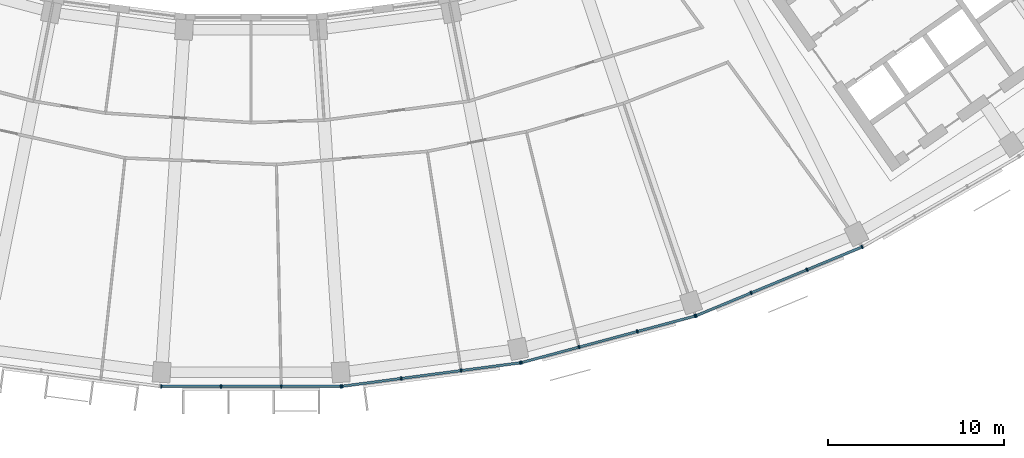
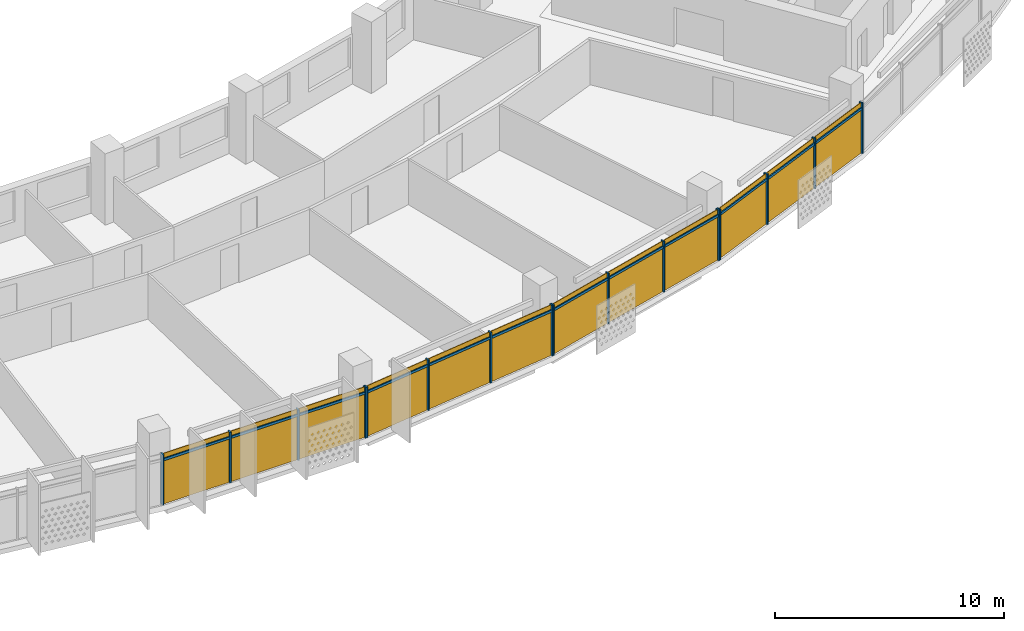
# One storey, part 20 of 27: 28 members, 4 curtain walls.
"""IFC4 building model written with IfcOpenShell, lengths in metres."""

from ifc_helpers import new_model, si_unit, direction, frame, origin, origin_2d, place, context, subcontext, project, spatial, rectangle, extrude, material, material_profile, profile_set, type_object, element, aggregate, save


model = new_model("IFC4")

# Units and contexts
model_context = context("Model", 3, precision=1e-05, world=origin(), true_north=direction((0.0, 1.0)))
body_context = subcontext(model_context, "Body", "Model", "MODEL_VIEW")
ifc_project = project(units=[si_unit("LENGTHUNIT", "METRE"), si_unit("AREAUNIT", "SQUARE_METRE"), si_unit("VOLUMEUNIT", "CUBIC_METRE"), si_unit("PLANEANGLEUNIT", "RADIAN"), si_unit("MASSUNIT", "GRAM", prefix="KILO")], contexts=[model_context])

# Member
ifc_material = material(Name="Aluminium 6063-T6 anodised", Category="aluminium")
ifc_material_profile_1 = material_profile(ifc_material, rectangle(XDim=0.199951171875, YDim=0.070068359375, at=origin_2d()))
ifc_profile_set_1 = profile_set([ifc_material_profile_1], Name="Aluminium 6063-T6 anodised")
member_type_1 = type_object("IfcMemberType", Name="Mullion 70 x 200 aluminium", PredefinedType="MULLION", material=ifc_profile_set_1)
site_placement = place(None, origin())
building_placement = place(site_placement, origin())
storey_placement = place(building_placement, frame((0.0, 0.0, 222.699951171875)))
member_1_placement = place(storey_placement, frame((-5.10888671875, -78.381591796875, 0.0), z_axis=(0.0, 0.0, 1.0), x_axis=(0.0, 1.0, 0.0)))
member_1 = element("IfcMember", 1, at=member_1_placement, type_object=member_type_1, Name="e-cw1-L53-out08/M00", PredefinedType="MULLION", context=body_context, shape_type="SweptSolid", body=[
    extrude(rectangle(XDim=0.199951171875, YDim=0.070068359375, at=origin_2d()), origin(), (0.0, 0.0, 1.0), 2.699951171875),
])

member_2_placement = place(storey_placement, frame((-1.714599609375, -78.381591796875, 0.0), z_axis=(0.0, 0.0, 1.0), x_axis=(0.0, 1.0, 0.0)))
member_2 = element("IfcMember", 2, at=member_2_placement, type_object=member_type_1, Name="e-cw1-L53-out08/M01", PredefinedType="MULLION", context=body_context, shape_type="SweptSolid", body=[
    extrude(rectangle(XDim=0.199951171875, YDim=0.070068359375, at=origin_2d()), origin(), (0.0, 0.0, 1.0), 2.699951171875),
])

member_3_placement = place(storey_placement, frame((1.714599609375, -78.381591796875, 0.0), z_axis=(0.0, 0.0, 1.0), x_axis=(0.0, 1.0, 0.0)))
member_3 = element("IfcMember", 3, at=member_3_placement, type_object=member_type_1, Name="e-cw1-L53-out08/M02", PredefinedType="MULLION", context=body_context, shape_type="SweptSolid", body=[
    extrude(rectangle(XDim=0.199951171875, YDim=0.070068359375, at=origin_2d()), origin(), (0.0, 0.0, 1.0), 2.699951171875),
])

member_4_placement = place(storey_placement, frame((5.10888671875, -78.381591796875, 0.0), z_axis=(0.0, 0.0, 1.0), x_axis=(0.0, 1.0, 0.0)))
member_4 = element("IfcMember", 4, at=member_4_placement, type_object=member_type_1, Name="e-cw1-L53-out08/M03", PredefinedType="MULLION", context=body_context, shape_type="SweptSolid", body=[
    extrude(rectangle(XDim=0.199951171875, YDim=0.070068359375, at=origin_2d()), origin(), (0.0, 0.0, 1.0), 2.699951171875),
])

member_5_placement = place(storey_placement, frame((5.16552734375, -78.3779296875, 0.0), z_axis=(0.0, 0.0, 1.0), x_axis=(-0.13052619222, 0.991444861374, 0.0)))
member_5 = element("IfcMember", 5, at=member_5_placement, type_object=member_type_1, Name="e-cw1-L53-out09/M00", PredefinedType="MULLION", context=body_context, shape_type="SweptSolid", body=[
    extrude(rectangle(XDim=0.199951171875, YDim=0.070068359375, at=origin_2d()), origin(), (0.0, 0.0, 1.0), 2.699951171875),
])

member_6_placement = place(storey_placement, frame((8.53076171875, -77.934814453125, 0.0), z_axis=(0.0, 0.0, 1.0), x_axis=(-0.13052619222, 0.991444861374, 0.0)))
member_6 = element("IfcMember", 6, at=member_6_placement, type_object=member_type_1, Name="e-cw1-L53-out09/M01", PredefinedType="MULLION", context=body_context, shape_type="SweptSolid", body=[
    extrude(rectangle(XDim=0.199951171875, YDim=0.070068359375, at=origin_2d()), origin(), (0.0, 0.0, 1.0), 2.699951171875),
])

member_7_placement = place(storey_placement, frame((11.930908203125, -77.4873046875, 0.0), z_axis=(0.0, 0.0, 1.0), x_axis=(-0.13052619222, 0.991444861374, 0.0)))
member_7 = element("IfcMember", 7, at=member_7_placement, type_object=member_type_1, Name="e-cw1-L53-out09/M02", PredefinedType="MULLION", context=body_context, shape_type="SweptSolid", body=[
    extrude(rectangle(XDim=0.199951171875, YDim=0.070068359375, at=origin_2d()), origin(), (0.0, 0.0, 1.0), 2.699951171875),
])

member_8_placement = place(storey_placement, frame((15.296142578125, -77.044189453125, 0.0), z_axis=(0.0, 0.0, 1.0), x_axis=(-0.13052619222, 0.991444861374, 0.0)))
member_8 = element("IfcMember", 8, at=member_8_placement, type_object=member_type_1, Name="e-cw1-L53-out09/M03", PredefinedType="MULLION", context=body_context, shape_type="SweptSolid", body=[
    extrude(rectangle(XDim=0.199951171875, YDim=0.070068359375, at=origin_2d()), origin(), (0.0, 0.0, 1.0), 2.699951171875),
])

member_9_placement = place(storey_placement, frame((15.351806640625, -77.033203125, 0.0), z_axis=(0.0, 0.0, 1.0), x_axis=(-0.258819045103, 0.965925826289, 0.0)))
member_9 = element("IfcMember", 9, at=member_9_placement, type_object=member_type_1, Name="e-cw1-L53-out10/M00", PredefinedType="MULLION", context=body_context, shape_type="SweptSolid", body=[
    extrude(rectangle(XDim=0.199951171875, YDim=0.070068359375, at=origin_2d()), origin(), (0.0, 0.0, 1.0), 2.699951171875),
])

member_10_placement = place(storey_placement, frame((18.63037109375, -76.154541015625, 0.0), z_axis=(0.0, 0.0, 1.0), x_axis=(-0.258819045103, 0.965925826289, 0.0)))
member_10 = element("IfcMember", 10, at=member_10_placement, type_object=member_type_1, Name="e-cw1-L53-out10/M01", PredefinedType="MULLION", context=body_context, shape_type="SweptSolid", body=[
    extrude(rectangle(XDim=0.199951171875, YDim=0.070068359375, at=origin_2d()), origin(), (0.0, 0.0, 1.0), 2.699951171875),
])

member_11_placement = place(storey_placement, frame((21.94287109375, -75.26708984375, 0.0), z_axis=(0.0, 0.0, 1.0), x_axis=(-0.258819045103, 0.965925826289, 0.0)))
member_11 = element("IfcMember", 11, at=member_11_placement, type_object=member_type_1, Name="e-cw1-L53-out10/M02", PredefinedType="MULLION", context=body_context, shape_type="SweptSolid", body=[
    extrude(rectangle(XDim=0.199951171875, YDim=0.070068359375, at=origin_2d()), origin(), (0.0, 0.0, 1.0), 2.699951171875),
])

member_12_placement = place(storey_placement, frame((25.221435546875, -74.388427734375, 0.0), z_axis=(0.0, 0.0, 1.0), x_axis=(-0.258819045103, 0.965925826289, 0.0)))
member_12 = element("IfcMember", 12, at=member_12_placement, type_object=member_type_1, Name="e-cw1-L53-out10/M03", PredefinedType="MULLION", context=body_context, shape_type="SweptSolid", body=[
    extrude(rectangle(XDim=0.199951171875, YDim=0.070068359375, at=origin_2d()), origin(), (0.0, 0.0, 1.0), 2.699951171875),
])

member_13_placement = place(storey_placement, frame((25.275390625, -74.370361328125, 0.0), z_axis=(0.0, 0.0, 1.0), x_axis=(-0.382683432365, 0.923879532511, 0.0)))
member_13 = element("IfcMember", 13, at=member_13_placement, type_object=member_type_1, Name="e-cw1-L53-out11/M00", PredefinedType="MULLION", context=body_context, shape_type="SweptSolid", body=[
    extrude(rectangle(XDim=0.199951171875, YDim=0.070068359375, at=origin_2d()), origin(), (0.0, 0.0, 1.0), 2.699951171875),
])

member_14_placement = place(storey_placement, frame((28.4111328125, -73.0712890625, 0.0), z_axis=(0.0, 0.0, 1.0), x_axis=(-0.382683432365, 0.923879532511, 0.0)))
member_14 = element("IfcMember", 14, at=member_14_placement, type_object=member_type_1, Name="e-cw1-L53-out11/M01", PredefinedType="MULLION", context=body_context, shape_type="SweptSolid", body=[
    extrude(rectangle(XDim=0.199951171875, YDim=0.070068359375, at=origin_2d()), origin(), (0.0, 0.0, 1.0), 2.699951171875),
])

member_15_placement = place(storey_placement, frame((31.57958984375, -71.759033203125, 0.0), z_axis=(0.0, 0.0, 1.0), x_axis=(-0.382683432365, 0.923879532511, 0.0)))
member_15 = element("IfcMember", 15, at=member_15_placement, type_object=member_type_1, Name="e-cw1-L53-out11/M02", PredefinedType="MULLION", context=body_context, shape_type="SweptSolid", body=[
    extrude(rectangle(XDim=0.199951171875, YDim=0.070068359375, at=origin_2d()), origin(), (0.0, 0.0, 1.0), 2.699951171875),
])

member_16_placement = place(storey_placement, frame((34.71533203125, -70.4599609375, 0.0), z_axis=(0.0, 0.0, 1.0), x_axis=(-0.382683432365, 0.923879532511, 0.0)))
member_16 = element("IfcMember", 16, at=member_16_placement, type_object=member_type_1, Name="e-cw1-L53-out11/M03", PredefinedType="MULLION", context=body_context, shape_type="SweptSolid", body=[
    extrude(rectangle(XDim=0.199951171875, YDim=0.070068359375, at=origin_2d()), origin(), (0.0, 0.0, 1.0), 2.699951171875),
])

ifc_material_profile_2 = material_profile(ifc_material, rectangle(XDim=0.139892578125, YDim=0.1201171875, at=origin_2d()))
ifc_profile_set_2 = profile_set([ifc_material_profile_2], Name="Aluminium 6063-T6 anodised")
member_type_2 = type_object("IfcMemberType", Name="Transom 120 x 140 aluminium", PredefinedType="USERDEFINED", material=ifc_profile_set_2)
member_17_placement = place(storey_placement, frame((-5.073974609375, -78.381591796875, 2.400146484375), z_axis=(1.0, 0.0, 0.0), x_axis=(0.0, 1.0, 0.0)))
member_17 = element("IfcMember", 17, at=member_17_placement, type_object=member_type_2, Name="e-cw1-L53-out08/T00", ObjectType="TRANSOM", PredefinedType="USERDEFINED", context=body_context, shape_type="SweptSolid", body=[
    extrude(rectangle(XDim=0.139892578125, YDim=0.1201171875, at=origin_2d()), origin(), (0.0, 0.0, 1.0), 3.32421875),
])

member_18_placement = place(storey_placement, frame((-1.6796875, -78.381591796875, 2.400146484375), z_axis=(1.0, 0.0, 0.0), x_axis=(0.0, 1.0, 0.0)))
member_18 = element("IfcMember", 18, at=member_18_placement, type_object=member_type_2, Name="e-cw1-L53-out08/T01", ObjectType="TRANSOM", PredefinedType="USERDEFINED", context=body_context, shape_type="SweptSolid", body=[
    extrude(rectangle(XDim=0.139892578125, YDim=0.1201171875, at=origin_2d()), origin(), (0.0, 0.0, 1.0), 3.359375),
])

member_19_placement = place(storey_placement, frame((1.749755859375, -78.381591796875, 2.400146484375), z_axis=(1.0, 0.0, 0.0), x_axis=(0.0, 1.0, 0.0)))
member_19 = element("IfcMember", 19, at=member_19_placement, type_object=member_type_2, Name="e-cw1-L53-out08/T02", ObjectType="TRANSOM", PredefinedType="USERDEFINED", context=body_context, shape_type="SweptSolid", body=[
    extrude(rectangle(XDim=0.139892578125, YDim=0.1201171875, at=origin_2d()), origin(), (0.0, 0.0, 1.0), 3.32421875),
])

member_20_placement = place(storey_placement, frame((5.2001953125, -78.373291015625, 2.400146484375), z_axis=(0.991447795146, 0.130503906072, 0.0), x_axis=(-0.130503906072, 0.991447795146, 0.0)))
member_20 = element("IfcMember", 20, at=member_20_placement, type_object=member_type_2, Name="e-cw1-L53-out09/T00", ObjectType="TRANSOM", PredefinedType="USERDEFINED", context=body_context, shape_type="SweptSolid", body=[
    extrude(rectangle(XDim=0.139892578125, YDim=0.1201171875, at=origin_2d()), origin(), (0.0, 0.0, 1.0), 3.32421875),
])

member_21_placement = place(storey_placement, frame((8.565673828125, -77.93017578125, 2.400146484375), z_axis=(0.991444893088, 0.130525951326, 0.0), x_axis=(-0.130525951326, 0.991444893088, 0.0)))
member_21 = element("IfcMember", 21, at=member_21_placement, type_object=member_type_2, Name="e-cw1-L53-out09/T01", ObjectType="TRANSOM", PredefinedType="USERDEFINED", context=body_context, shape_type="SweptSolid", body=[
    extrude(rectangle(XDim=0.139892578125, YDim=0.1201171875, at=origin_2d()), origin(), (0.0, 0.0, 1.0), 3.359375),
])

member_22_placement = place(storey_placement, frame((11.965576171875, -77.482666015625, 2.400146484375), z_axis=(0.991447795146, 0.130503906072, 0.0), x_axis=(-0.130503906072, 0.991447795146, 0.0)))
member_22 = element("IfcMember", 22, at=member_22_placement, type_object=member_type_2, Name="e-cw1-L53-out09/T02", ObjectType="TRANSOM", PredefinedType="USERDEFINED", context=body_context, shape_type="SweptSolid", body=[
    extrude(rectangle(XDim=0.139892578125, YDim=0.1201171875, at=origin_2d()), origin(), (0.0, 0.0, 1.0), 3.32421875),
])

member_23_placement = place(storey_placement, frame((15.385498046875, -77.024169921875, 2.400146484375), z_axis=(0.965913629723, 0.258864559019, 0.0), x_axis=(-0.258864559019, 0.965913629723, 0.0)))
member_23 = element("IfcMember", 23, at=member_23_placement, type_object=member_type_2, Name="e-cw1-L53-out10/T00", ObjectType="TRANSOM", PredefinedType="USERDEFINED", context=body_context, shape_type="SweptSolid", body=[
    extrude(rectangle(XDim=0.139892578125, YDim=0.1201171875, at=origin_2d()), origin(), (0.0, 0.0, 1.0), 3.324462890625),
])

member_24_placement = place(storey_placement, frame((18.664306640625, -76.1455078125, 2.400146484375), z_axis=(0.965931507774, 0.258797840582, 0.0), x_axis=(-0.258797840582, 0.965931507774, 0.0)))
member_24 = element("IfcMember", 24, at=member_24_placement, type_object=member_type_2, Name="e-cw1-L53-out10/T01", ObjectType="TRANSOM", PredefinedType="USERDEFINED", context=body_context, shape_type="SweptSolid", body=[
    extrude(rectangle(XDim=0.139892578125, YDim=0.1201171875, at=origin_2d()), origin(), (0.0, 0.0, 1.0), 3.359375),
])

member_25_placement = place(storey_placement, frame((21.976806640625, -75.258056640625, 2.400146484375), z_axis=(0.965908708139, 0.25888292246, 0.0), x_axis=(-0.25888292246, 0.965908708139, 0.0)))
member_25 = element("IfcMember", 25, at=member_25_placement, type_object=member_type_2, Name="e-cw1-L53-out10/T02", ObjectType="TRANSOM", PredefinedType="USERDEFINED", context=body_context, shape_type="SweptSolid", body=[
    extrude(rectangle(XDim=0.139892578125, YDim=0.1201171875, at=origin_2d()), origin(), (0.0, 0.0, 1.0), 3.32421875),
])

member_26_placement = place(storey_placement, frame((25.3076171875, -74.35693359375, 2.400146484375), z_axis=(0.923874511193, 0.382695554676, 0.0), x_axis=(-0.382695554676, 0.923874511193, 0.0)))
member_26 = element("IfcMember", 26, at=member_26_placement, type_object=member_type_2, Name="e-cw1-L53-out11/T00", ObjectType="TRANSOM", PredefinedType="USERDEFINED", context=body_context, shape_type="SweptSolid", body=[
    extrude(rectangle(XDim=0.139892578125, YDim=0.1201171875, at=origin_2d()), origin(), (0.0, 0.0, 1.0), 3.324462890625),
])

member_27_placement = place(storey_placement, frame((28.443603515625, -73.057861328125, 2.400146484375), z_axis=(0.923891938088, 0.38265348128, 0.0), x_axis=(-0.38265348128, 0.923891938088, 0.0)))
member_27 = element("IfcMember", 27, at=member_27_placement, type_object=member_type_2, Name="e-cw1-L53-out11/T01", ObjectType="TRANSOM", PredefinedType="USERDEFINED", context=body_context, shape_type="SweptSolid", body=[
    extrude(rectangle(XDim=0.139892578125, YDim=0.1201171875, at=origin_2d()), origin(), (0.0, 0.0, 1.0), 3.359130859375),
])

member_28_placement = place(storey_placement, frame((31.61181640625, -71.74560546875, 2.400146484375), z_axis=(0.923874511193, 0.382695554676, 0.0), x_axis=(-0.382695554676, 0.923874511193, 0.0)))
member_28 = element("IfcMember", 28, at=member_28_placement, type_object=member_type_2, Name="e-cw1-L53-out11/T02", ObjectType="TRANSOM", PredefinedType="USERDEFINED", context=body_context, shape_type="SweptSolid", body=[
    extrude(rectangle(XDim=0.139892578125, YDim=0.1201171875, at=origin_2d()), origin(), (0.0, 0.0, 1.0), 3.324462890625),
])

# Site, building, storey
site = spatial("IfcSite", under=ifc_project, at=site_placement, CompositionType="ELEMENT")
building = spatial("IfcBuilding", under=site, at=building_placement, Name="Qamariyya Broadcast Tower", CompositionType="ELEMENT")
storey = spatial("IfcBuildingStorey", under=building, at=storey_placement, Name="L53", CompositionType="ELEMENT", Elevation=222.699951171875)

# Curtain wall
curtain_wall_type = type_object("IfcCurtainWallType", Name="Unitised curtain wall, anodised aluminium", PredefinedType="NOTDEFINED", material=ifc_material)
curtain_wall_1_placement = place(storey_placement, origin())
curtain_wall_1 = element("IfcCurtainWall", 29, at=curtain_wall_1_placement, inside=storey, type_object=curtain_wall_type, Name="e-cw1-L53-out08", PredefinedType="NOTDEFINED", context=body_context, shape_type="SweptSolid", body=[
    extrude(rectangle(XDim=3.324462890625, YDim=0.031982421875, at=origin_2d()), frame((-3.411865234375, -78.381591796875, 0.0), x_axis=(1.0, 0.0, 0.0)), (0.0, 0.0, 1.0), 2.340087890625),
    extrude(rectangle(XDim=3.324462890625, YDim=0.031982421875, at=origin_2d()), frame((-3.411865234375, -78.381591796875, 2.4599609375), x_axis=(1.0, 0.0, 0.0)), (0.0, 0.0, 1.0), 0.239990234375),
    extrude(rectangle(XDim=3.359375, YDim=0.031982421875, at=origin_2d()), frame((0.0, -78.381591796875, 0.0), x_axis=(1.0, 0.0, 0.0)), (0.0, 0.0, 1.0), 2.340087890625),
    extrude(rectangle(XDim=3.359375, YDim=0.031982421875, at=origin_2d()), frame((0.0, -78.381591796875, 2.4599609375), x_axis=(1.0, 0.0, 0.0)), (0.0, 0.0, 1.0), 0.239990234375),
    extrude(rectangle(XDim=3.324462890625, YDim=0.031982421875, at=origin_2d()), frame((3.411865234375, -78.381591796875, 0.0), x_axis=(1.0, 0.0, 0.0)), (0.0, 0.0, 1.0), 2.340087890625),
    extrude(rectangle(XDim=3.324462890625, YDim=0.031982421875, at=origin_2d()), frame((3.411865234375, -78.381591796875, 2.4599609375), x_axis=(1.0, 0.0, 0.0)), (0.0, 0.0, 1.0), 0.239990234375),
])

aggregate(curtain_wall_1, [member_1, member_2, member_3, member_4, member_17, member_18, member_19])

curtain_wall_2_placement = place(storey_placement, origin())
curtain_wall_2 = element("IfcCurtainWall", 30, at=curtain_wall_2_placement, inside=storey, type_object=curtain_wall_type, Name="e-cw1-L53-out09", PredefinedType="NOTDEFINED", context=body_context, shape_type="SweptSolid", body=[
    extrude(rectangle(XDim=3.32421875, YDim=0.031982421875, at=origin_2d()), frame((6.84814453125, -78.156494140625, 0.0), x_axis=(0.991442741341, 0.130542294457, 0.0)), (0.0, 0.0, 1.0), 2.340087890625),
    extrude(rectangle(XDim=3.32421875, YDim=0.031982421875, at=origin_2d()), frame((6.84814453125, -78.156494140625, 2.4599609375), x_axis=(0.991442741341, 0.130542294457, 0.0)), (0.0, 0.0, 1.0), 0.239990234375),
    extrude(rectangle(XDim=3.359375, YDim=0.031982421875, at=origin_2d()), frame((10.23095703125, -77.7109375, 0.0), x_axis=(0.991442741341, 0.130542294457, 0.0)), (0.0, 0.0, 1.0), 2.340087890625),
    extrude(rectangle(XDim=3.359375, YDim=0.031982421875, at=origin_2d()), frame((10.23095703125, -77.7109375, 2.4599609375), x_axis=(0.991442741341, 0.130542294457, 0.0)), (0.0, 0.0, 1.0), 0.239990234375),
    extrude(rectangle(XDim=3.32421875, YDim=0.031982421875, at=origin_2d()), frame((13.613525390625, -77.265625, 0.0), x_axis=(0.991442741341, 0.130542294457, 0.0)), (0.0, 0.0, 1.0), 2.340087890625),
    extrude(rectangle(XDim=3.32421875, YDim=0.031982421875, at=origin_2d()), frame((13.613525390625, -77.265625, 2.4599609375), x_axis=(0.991442741341, 0.130542294457, 0.0)), (0.0, 0.0, 1.0), 0.239990234375),
])

aggregate(curtain_wall_2, [member_5, member_6, member_7, member_8, member_20, member_21, member_22])

curtain_wall_3_placement = place(storey_placement, origin())
curtain_wall_3 = element("IfcCurtainWall", 31, at=curtain_wall_3_placement, inside=storey, type_object=curtain_wall_type, Name="e-cw1-L53-out10", PredefinedType="NOTDEFINED", context=body_context, shape_type="SweptSolid", body=[
    extrude(rectangle(XDim=3.324462890625, YDim=0.031982421875, at=origin_2d()), frame((16.990966796875, -76.593994140625, 0.0), x_axis=(0.965923476514, 0.258827814424, 0.0)), (0.0, 0.0, 1.0), 2.340087890625),
    extrude(rectangle(XDim=3.324462890625, YDim=0.031982421875, at=origin_2d()), frame((16.990966796875, -76.593994140625, 2.4599609375), x_axis=(0.965923476514, 0.258827814424, 0.0)), (0.0, 0.0, 1.0), 0.239990234375),
    extrude(rectangle(XDim=3.359375, YDim=0.031982421875, at=origin_2d()), frame((20.28662109375, -75.7109375, 0.0), x_axis=(0.965923476514, 0.258827814424, 0.0)), (0.0, 0.0, 1.0), 2.340087890625),
    extrude(rectangle(XDim=3.359375, YDim=0.031982421875, at=origin_2d()), frame((20.28662109375, -75.7109375, 2.4599609375), x_axis=(0.965923476514, 0.258827814424, 0.0)), (0.0, 0.0, 1.0), 0.239990234375),
    extrude(rectangle(XDim=3.324462890625, YDim=0.031982421875, at=origin_2d()), frame((23.582275390625, -74.82763671875, 0.0), x_axis=(0.965923476514, 0.258827814424, 0.0)), (0.0, 0.0, 1.0), 2.340087890625),
    extrude(rectangle(XDim=3.324462890625, YDim=0.031982421875, at=origin_2d()), frame((23.582275390625, -74.82763671875, 2.4599609375), x_axis=(0.965923476514, 0.258827814424, 0.0)), (0.0, 0.0, 1.0), 0.239990234375),
])

aggregate(curtain_wall_3, [member_9, member_10, member_11, member_12, member_23, member_24, member_25])

curtain_wall_4_placement = place(storey_placement, origin())
curtain_wall_4 = element("IfcCurtainWall", 32, at=curtain_wall_4_placement, inside=storey, type_object=curtain_wall_type, Name="e-cw1-L53-out11", PredefinedType="NOTDEFINED", context=body_context, shape_type="SweptSolid", body=[
    extrude(rectangle(XDim=3.32421875, YDim=0.031982421875, at=origin_2d()), frame((26.84326171875, -73.720703125, 0.0), x_axis=(0.923880895135, 0.382680142683, 0.0)), (0.0, 0.0, 1.0), 2.340087890625),
    extrude(rectangle(XDim=3.32421875, YDim=0.031982421875, at=origin_2d()), frame((26.84326171875, -73.720703125, 2.4599609375), x_axis=(0.923880895135, 0.382680142683, 0.0)), (0.0, 0.0, 1.0), 0.239990234375),
    extrude(rectangle(XDim=3.359375, YDim=0.031982421875, at=origin_2d()), frame((29.995361328125, -72.4150390625, 0.0), x_axis=(0.923880895135, 0.382680142683, 0.0)), (0.0, 0.0, 1.0), 2.340087890625),
    extrude(rectangle(XDim=3.359375, YDim=0.031982421875, at=origin_2d()), frame((29.995361328125, -72.4150390625, 2.4599609375), x_axis=(0.923880895135, 0.382680142683, 0.0)), (0.0, 0.0, 1.0), 0.239990234375),
    extrude(rectangle(XDim=3.32421875, YDim=0.031982421875, at=origin_2d()), frame((33.1474609375, -71.109375, 0.0), x_axis=(0.923880895135, 0.382680142683, 0.0)), (0.0, 0.0, 1.0), 2.340087890625),
    extrude(rectangle(XDim=3.32421875, YDim=0.031982421875, at=origin_2d()), frame((33.1474609375, -71.109375, 2.4599609375), x_axis=(0.923880895135, 0.382680142683, 0.0)), (0.0, 0.0, 1.0), 0.239990234375),
])

aggregate(curtain_wall_4, [member_13, member_14, member_15, member_16, member_26, member_27, member_28])

save(model, "model.ifc")
